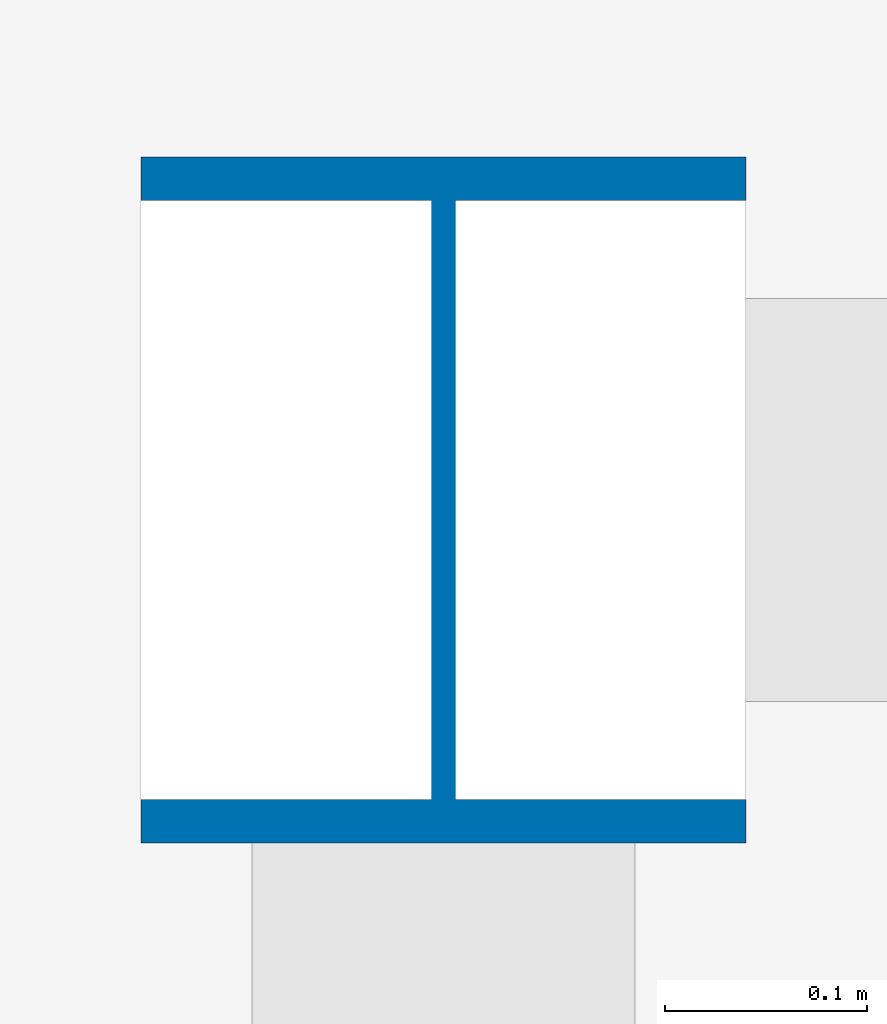
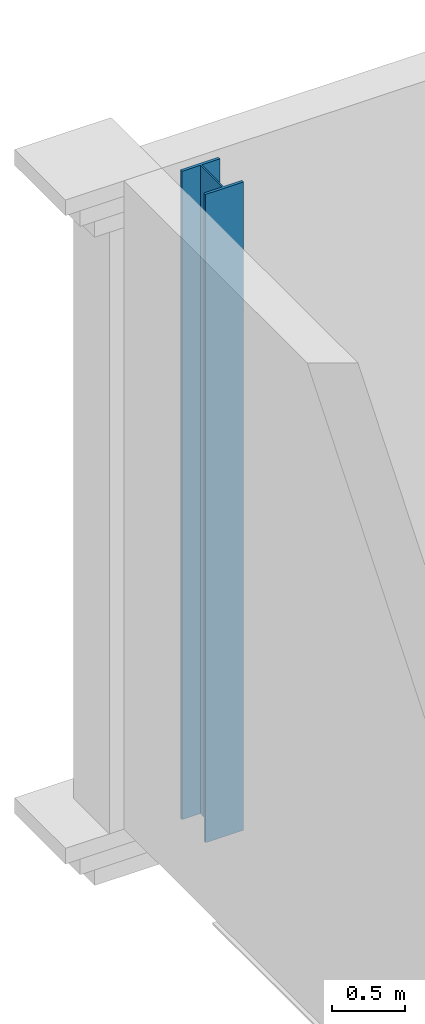
# One storey, part 9 of 170: 1 column.
"""IFC4 building model written with IfcOpenShell, lengths in metres."""

from ifc_helpers import new_model, si_unit, direction, frame, origin, origin_2d, place, context, subcontext, project, spatial, i_section, extrude, material, material_profile, profile_set, type_object, element, save


model = new_model("IFC4")

# Units and contexts
model_context = context("Model", 3, precision=1e-05, world=origin(), true_north=direction((0.0, 1.0)))
body_context = subcontext(model_context, "Body", "Model", "MODEL_VIEW")
ifc_project = project(units=[si_unit("LENGTHUNIT", "METRE"), si_unit("AREAUNIT", "SQUARE_METRE"), si_unit("VOLUMEUNIT", "CUBIC_METRE"), si_unit("PLANEANGLEUNIT", "RADIAN"), si_unit("MASSUNIT", "GRAM", prefix="KILO")], contexts=[model_context])

# Site, building, storey
site_placement = place(None, origin())
site = spatial("IfcSite", under=ifc_project, at=site_placement, CompositionType="ELEMENT")
building_placement = place(site_placement, origin())
building = spatial("IfcBuilding", under=site, at=building_placement, Name="Ravi Spectrum Wholesale Market", CompositionType="ELEMENT")
storey_placement = place(building_placement, frame((0.0, 0.0, 5.39990234375)))
storey = spatial("IfcBuildingStorey", under=building, at=storey_placement, Name="L01", CompositionType="ELEMENT", Elevation=5.39990234375)

# Column
ifc_material = material(Name="Steel S355", Category="steel")
ifc_material_profile = material_profile(ifc_material, i_section(OverallWidth=0.300048828125, OverallDepth=0.340087890625, WebThickness=0.011962890625, FlangeThickness=0.021484375, at=origin_2d()))
ifc_profile_set = profile_set([ifc_material_profile], Name="Steel S355")
column_type = type_object("IfcColumnType", Name="HEB 340 column", PredefinedType="COLUMN", material=ifc_profile_set)
column_placement = place(storey_placement, frame((198.0, 66.0, 0.0), z_axis=(0.0, 0.0, 1.0), x_axis=(1.0, 0.0, 0.0)))
element("IfcColumn", 1, at=column_placement, inside=storey, type_object=column_type, Name="CS-COL-L01-005", PredefinedType="COLUMN", context=body_context, shape_type="SweptSolid", body=[
    extrude(i_section(OverallWidth=0.300048828125, OverallDepth=0.340087890625, WebThickness=0.011962890625, FlangeThickness=0.021484375, at=origin_2d()), origin(), (0.0, 0.0, 1.0), 5.400146484375),
])

save(model, "model.ifc")
